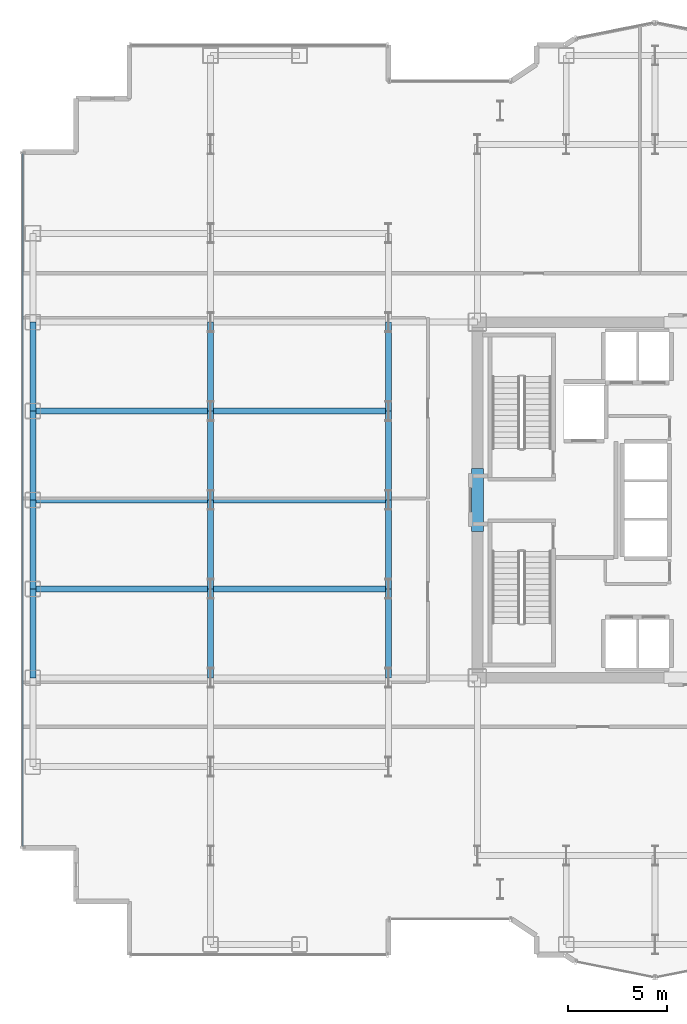
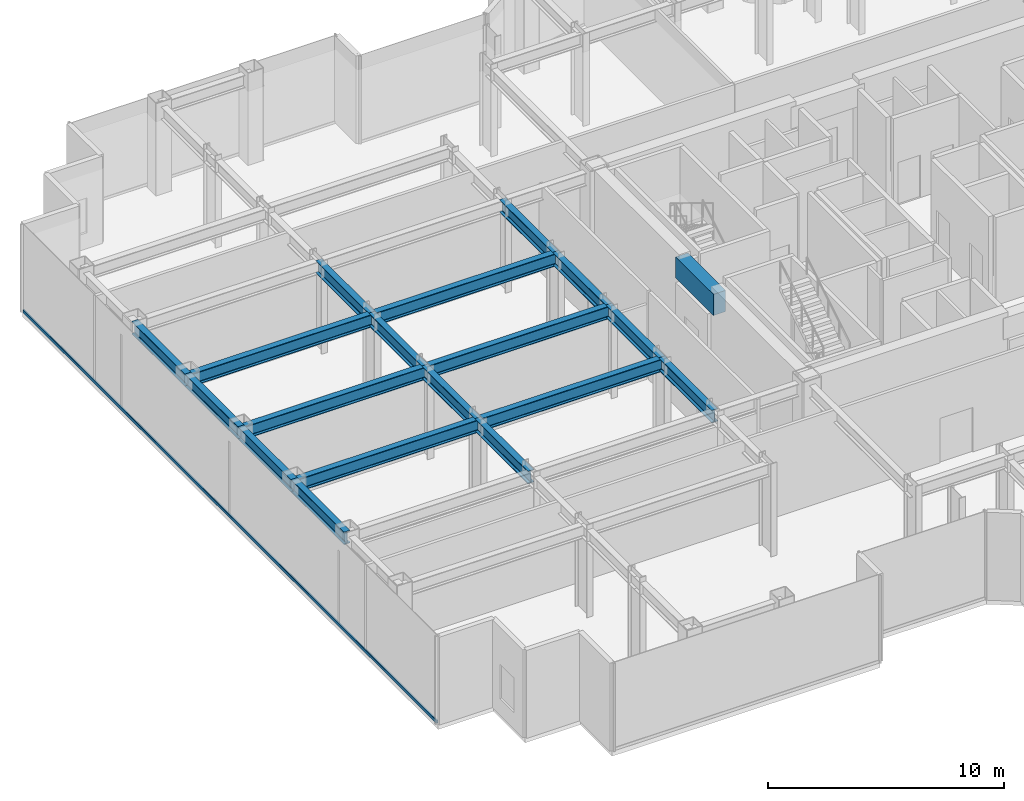
# One storey, part 5 of 27: 19 beams, 1 member, 1 element without a shape of its own.
"""IFC4 building model written with IfcOpenShell, lengths in metres."""

from ifc_helpers import new_model, si_unit, direction, frame, origin, origin_2d, place, context, subcontext, project, spatial, rectangle, hollow_rectangle, i_section, extrude, source, transform, mapped, material, layer, layer_set, material_profile, profile_set, type_object, element, aggregate, save


model = new_model("IFC4")

# Units and contexts
model_context = context("Model", 3, precision=1e-05, world=origin(), true_north=direction((0.0, 1.0)))
body_context = subcontext(model_context, "Body", "Model", "MODEL_VIEW")
ifc_project = project(units=[si_unit("LENGTHUNIT", "METRE"), si_unit("AREAUNIT", "SQUARE_METRE"), si_unit("VOLUMEUNIT", "CUBIC_METRE"), si_unit("PLANEANGLEUNIT", "RADIAN"), si_unit("MASSUNIT", "GRAM", prefix="KILO")], contexts=[model_context])

# Site, building, storey
site_placement = place(None, origin())
site = spatial("IfcSite", under=ifc_project, at=site_placement, CompositionType="ELEMENT")
building_placement = place(site_placement, origin())
building = spatial("IfcBuilding", under=site, at=building_placement, Name="Nefas-Gora Pilgrimage Tower", CompositionType="ELEMENT")
storey_placement = place(building_placement, frame((0.0, 0.0, 144.0)))
storey = spatial("IfcBuildingStorey", under=building, at=storey_placement, Name="L35", CompositionType="ELEMENT", Elevation=144.0)

# Beams
ifc_material_1 = material(Name="Concrete C60/75", Category="concrete")
ifc_material_profile_1 = material_profile(ifc_material_1, rectangle(XDim=0.60009765625, YDim=1.10009765625, at=origin_2d()), Name="RC 600x1100")
ifc_profile_set_1 = profile_set([ifc_material_profile_1], Name="Concrete C60/75")
beam_type_1 = type_object("IfcBeamType", Name="BM-LIN-RC1100", PredefinedType="LINTEL", material=ifc_profile_set_1)
shared_shape_1 = source(origin(), body_context, "Body", "SweptSolid", [
    extrude(rectangle(XDim=0.60009765625, YDim=1.10009765625, at=origin_2d()), origin(), (0.0, 0.0, 1.0), 3.2001953125),
])
beam_placement = place(storey_placement, frame((-11.25, -1.60009765625, 4.0), z_axis=(0.0, 1.0, 0.0), x_axis=(-1.0, 0.0, 0.0)))
element("IfcBeam", 1, at=beam_placement, inside=storey, type_object=beam_type_1, Name="L35 Core Coupling Lintel Beam W", PredefinedType="LINTEL", context=body_context, shape_type="MappedRepresentation", body=[
    mapped(shared_shape_1, transform((0.0, 0.0, 0.0), x_axis=(1.0, 0.0, 0.0), y_axis=(0.0, 1.0, 0.0), z_axis=(0.0, 0.0, 1.0), scale=1.0)),
])
ifc_material_2 = material(Name="Steel S355", Category="steel")
ifc_material_profile_2 = material_profile(ifc_material_2, i_section(OverallWidth=0.300048828125, OverallDepth=0.64990234375, WebThickness=0.01611328125, FlangeThickness=0.031005859375, FilletRadius=0.027099609375, at=origin_2d()), Name="HEB 650")
ifc_profile_set_2 = profile_set([ifc_material_profile_2], Name="Steel S355")
beam_type_2 = type_object("IfcBeamType", Name="BM-SPN-HEB500", PredefinedType="SPANDREL", material=ifc_profile_set_2)
shared_shape_2 = source(origin(), body_context, "Body", "SweptSolid", [
    extrude(i_section(OverallWidth=0.300048828125, OverallDepth=0.64990234375, WebThickness=0.01611328125, FlangeThickness=0.031005859375, FilletRadius=0.027099609375, at=origin_2d()), origin(), (0.0, 0.0, 1.0), 4.5),
])
for number, where, z_axis, x_axis, name in (
    (2, (-33.75, -9.0, 4.22509765625), (0.0, 1.0, 0.0), (-1.0, 0.0, 0.0), "L35 SP-02 beam"),
    (3, (-33.75, -4.5, 4.22509765625), (0.0, 1.0, 0.0), (-1.0, 0.0, 0.0), "L35 SP-02 beam"),
    (4, (-33.75, 0.0, 4.22509765625), (0.0, 1.0, 0.0), (-1.0, 0.0, 0.0), "L35 SP-02 beam"),
    (5, (-33.75, 4.5, 4.22509765625), (0.0, 1.0, 0.0), (-1.0, 0.0, 0.0), "L35 SP-02 beam"),
):
    element("IfcBeam", number, at=place(storey_placement, frame(where, z_axis=z_axis, x_axis=x_axis)), inside=storey, type_object=beam_type_2, Name=name, PredefinedType="SPANDREL", context=body_context, shape_type="MappedRepresentation", body=[
        mapped(shared_shape_2, transform((0.0, 0.0, 0.0), x_axis=(1.0, 0.0, 0.0), y_axis=(0.0, 1.0, 0.0), z_axis=(0.0, 0.0, 1.0), scale=1.0)),
    ])
ifc_material_profile_3 = material_profile(ifc_material_2, i_section(OverallWidth=0.300048828125, OverallDepth=0.64990234375, WebThickness=0.01611328125, FlangeThickness=0.031005859375, FilletRadius=0.027099609375, at=origin_2d()), Name="HEB 650")
ifc_profile_set_3 = profile_set([ifc_material_profile_3], Name="Steel S355")
beam_type_3 = type_object("IfcBeamType", Name="BM-GIR-HEB650", PredefinedType="BEAM", material=ifc_profile_set_3)
shared_shape_3 = source(origin(), body_context, "Body", "SweptSolid", [
    extrude(i_section(OverallWidth=0.300048828125, OverallDepth=0.64990234375, WebThickness=0.01611328125, FlangeThickness=0.031005859375, FilletRadius=0.027099609375, at=origin_2d()), origin(), (0.0, 0.0, 1.0), 9.0),
])
for number, where, z_axis, x_axis, name in (
    (6, (-33.75, -4.5, 4.22509765625), (1.0, 0.0, 0.0), (0.0, 1.0, 0.0), "L35 G-03 beam"),
    (7, (-33.75, 0.0, 4.22509765625), (1.0, 0.0, 0.0), (0.0, 1.0, 0.0), "L35 G-03 beam"),
    (8, (-33.75, 4.5, 4.22509765625), (1.0, 0.0, 0.0), (0.0, 1.0, 0.0), "L35 G-03 beam"),
    (9, (-24.75, -4.5, 4.22509765625), (1.0, 0.0, 0.0), (0.0, 1.0, 0.0), "L35 G-03 beam"),
    (10, (-24.75, 0.0, 4.22509765625), (1.0, 0.0, 0.0), (0.0, 1.0, 0.0), "L35 G-03 beam"),
    (11, (-24.75, 4.5, 4.22509765625), (1.0, 0.0, 0.0), (0.0, 1.0, 0.0), "L35 G-03 beam"),
):
    element("IfcBeam", number, at=place(storey_placement, frame(where, z_axis=z_axis, x_axis=x_axis)), inside=storey, type_object=beam_type_3, Name=name, PredefinedType="BEAM", context=body_context, shape_type="MappedRepresentation", body=[
        mapped(shared_shape_3, transform((0.0, 0.0, 0.0), x_axis=(1.0, 0.0, 0.0), y_axis=(0.0, 1.0, 0.0), z_axis=(0.0, 0.0, 1.0), scale=1.0)),
    ])
shared_shape_4 = source(origin(), body_context, "Body", "SweptSolid", [
    extrude(i_section(OverallWidth=0.300048828125, OverallDepth=0.64990234375, WebThickness=0.01611328125, FlangeThickness=0.031005859375, FilletRadius=0.027099609375, at=origin_2d()), origin(), (0.0, 0.0, 1.0), 4.5),
])
for number, where, z_axis, x_axis, name in (
    (12, (-24.75, -9.0, 4.22509765625), (0.0, 1.0, 0.0), (-1.0, 0.0, 0.0), "L35 G-03 beam"),
    (13, (-24.75, -4.5, 4.22509765625), (0.0, 1.0, 0.0), (-1.0, 0.0, 0.0), "L35 G-03 beam"),
    (14, (-24.75, 0.0, 4.22509765625), (0.0, 1.0, 0.0), (-1.0, 0.0, 0.0), "L35 G-03 beam"),
    (15, (-24.75, 4.5, 4.22509765625), (0.0, 1.0, 0.0), (-1.0, 0.0, 0.0), "L35 G-03 beam"),
    (16, (-15.75, -9.0, 4.22509765625), (0.0, 1.0, 0.0), (-1.0, 0.0, 0.0), "L35 G-03 beam"),
    (17, (-15.75, -4.5, 4.22509765625), (0.0, 1.0, 0.0), (-1.0, 0.0, 0.0), "L35 G-03 beam"),
    (18, (-15.75, 0.0, 4.22509765625), (0.0, 1.0, 0.0), (-1.0, 0.0, 0.0), "L35 G-03 beam"),
    (19, (-15.75, 4.5, 4.22509765625), (0.0, 1.0, 0.0), (-1.0, 0.0, 0.0), "L35 G-03 beam"),
):
    element("IfcBeam", number, at=place(storey_placement, frame(where, z_axis=z_axis, x_axis=x_axis)), inside=storey, type_object=beam_type_3, Name=name, PredefinedType="BEAM", context=body_context, shape_type="MappedRepresentation", body=[
        mapped(shared_shape_4, transform((0.0, 0.0, 0.0), x_axis=(1.0, 0.0, 0.0), y_axis=(0.0, 1.0, 0.0), z_axis=(0.0, 0.0, 1.0), scale=1.0)),
    ])

# Curtain wall, member
ifc_material_3 = material(Name="Dark ceramic-fritted solar-control aluminium-glass curtain wall", Category="aluminium")
ifc_layer = layer(ifc_material_3, 0.219970703125)
ifc_layer_set = layer_set([ifc_layer], Name="Dark ceramic-fritted solar-control aluminium-glass curtain wall")
curtain_wall_type = type_object("IfcCurtainWallType", Name="CW-SYS-2", PredefinedType="NOTDEFINED", material=ifc_layer_set)
curtain_wall_placement = place(storey_placement, origin())
curtain_wall = element("IfcCurtainWall", 20, at=curtain_wall_placement, inside=storey, type_object=curtain_wall_type, Name="L35 Unitised Curtain Wall CW2", PredefinedType="NOTDEFINED")
ifc_material_4 = material(Name="Anodised architectural aluminium", Category="aluminium")
ifc_material_profile_4 = material_profile(ifc_material_4, hollow_rectangle(XDim=0.080078125, YDim=0.159912109375, WallThickness=0.00439453125, InnerFilletRadius=0.00439453125, OuterFilletRadius=0.009033203125, at=origin_2d()), Name="ALU TRANSOM 80x160")
ifc_profile_set_4 = profile_set([ifc_material_profile_4], Name="Anodised architectural aluminium")
member_type = type_object("IfcMemberType", Name="CWM-TRN-2", PredefinedType="USERDEFINED", material=ifc_profile_set_4)
shared_shape_5 = source(origin(), body_context, "Body", "SweptSolid", [
    extrude(hollow_rectangle(XDim=0.080078125, YDim=0.159912109375, WallThickness=0.00439453125, InnerFilletRadius=0.00439453125, OuterFilletRadius=0.009033203125, at=origin_2d()), origin(), (0.0, 0.0, 1.0), 35.06005859375),
])
member_placement = place(storey_placement, frame((-34.27001953125, 17.530029296875, 0.050048828125), z_axis=(0.0, -1.0, 0.0), x_axis=(1.0, 0.0, 0.0)))
member = element("IfcMember", 21, at=member_placement, type_object=member_type, Name="CW2 Spandrel Transom", ObjectType="TRANSOM", PredefinedType="USERDEFINED", context=body_context, shape_type="MappedRepresentation", body=[
    mapped(shared_shape_5, transform((0.0, 0.0, 0.0), x_axis=(1.0, 0.0, 0.0), y_axis=(0.0, 1.0, 0.0), z_axis=(0.0, 0.0, 1.0), scale=1.0)),
])
aggregate(curtain_wall, [member])

save(model, "model.ifc")
